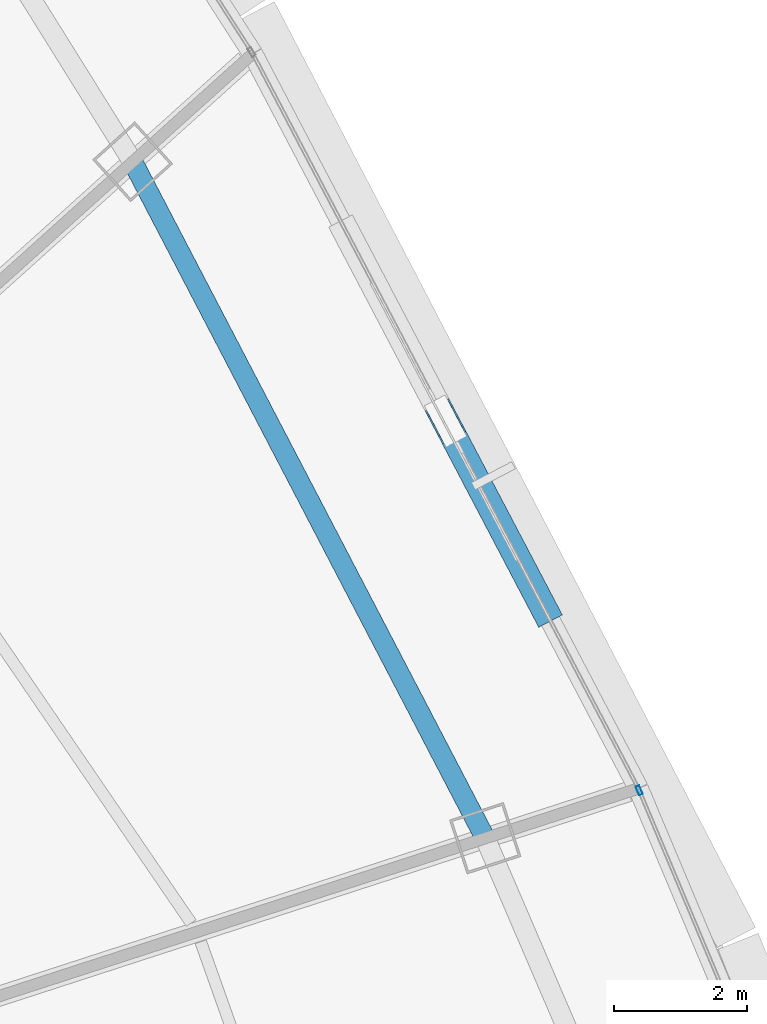
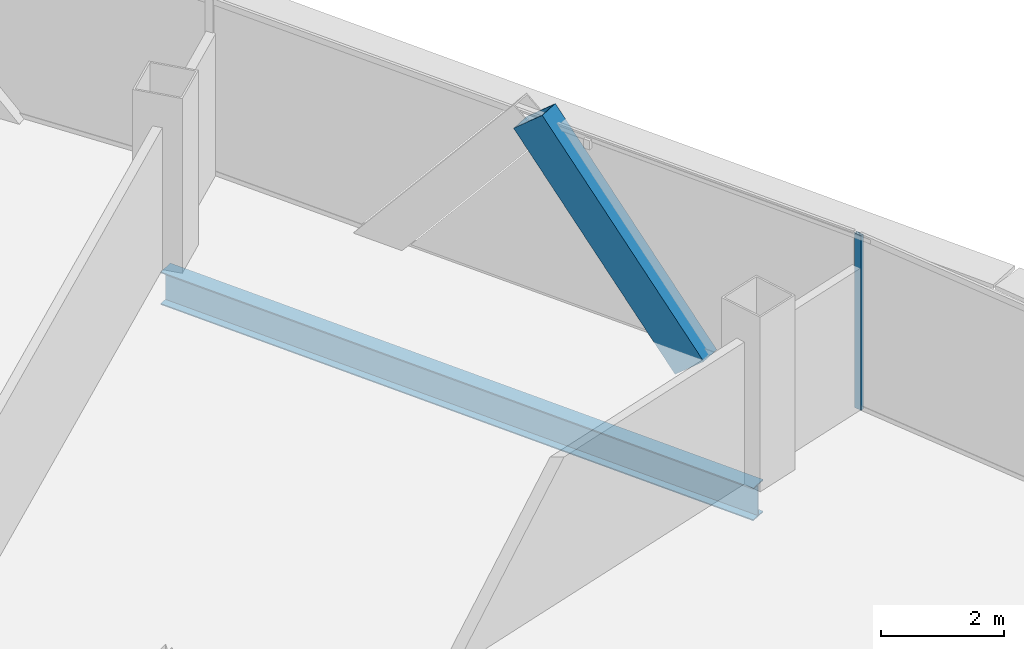
# One storey, part 14 of 36: 2 members, 1 beam, 1 element without a shape of its own.
"""IFC4 building model written with IfcOpenShell, lengths in metres."""

import ifcopenshell
import ifcopenshell.guid

model = None  # the IFC model being written
_history = None  # IfcOwnerHistory: only IFC2X3 demands one
_inside = {}  # id of a spatial element -> (the spatial element, [elements in it])
_under = {}  # id of a project, library or spatial element -> (it, [spatial elements below it])
_declared = {}  # id of a project -> (the project, [libraries it declares])
_typed = {}  # id of a type object -> (the type object, [elements of that type])
_made_of = {}  # id of a material, layer set ... -> (it, [elements and type objects made of it])


def new_model(schema):
    """Start an empty IFC model of exactly this schema.

    Asked for "IFC4X3", IfcOpenShell would pick the latest addendum, in which some entities
    have other attributes; the version numbers below select the first issue.
    IFC2X3 requires an IfcOwnerHistory on every rooted entity: one is made here for all.
    """
    global model, _history
    if schema == "IFC4X3":
        model = ifcopenshell.file(schema_version=(4, 3, 0, 0))
    else:
        model = ifcopenshell.file(schema=schema)
    _inside.clear()
    _under.clear()
    _declared.clear()
    _typed.clear()
    _made_of.clear()
    _history = None
    if model.schema == "IFC2X3":
        org = make("IfcOrganization", Name="unknown")
        user = make(
            "IfcPersonAndOrganization",
            ThePerson=make("IfcPerson", FamilyName="unknown"),
            TheOrganization=org,
        )
        app = make(
            "IfcApplication",
            ApplicationDeveloper=org,
            Version="unknown",
            ApplicationFullName="unknown",
            ApplicationIdentifier="unknown",
        )
        _history = make(
            "IfcOwnerHistory",
            OwningUser=user,
            OwningApplication=app,
            ChangeAction="ADDED",
            CreationDate=0,
        )
    return model


def make(cls, **values):
    """One entity of the class cls with the attributes given. An attribute that is None is left unset."""
    return model.create_entity(
        cls, **{name: value for name, value in values.items() if value is not None}
    )


def rooted(cls, **values):
    """An entity with a GlobalId (a new one), such as an element, a storey or a relation."""
    return make(cls, GlobalId=ifcopenshell.guid.new(), OwnerHistory=_history, **values)


def si_unit(unit_type, name, prefix=None):
    """IfcSIUnit, for example si_unit("LENGTHUNIT", "METRE", prefix="MILLI")."""
    return make("IfcSIUnit", UnitType=unit_type, Prefix=prefix, Name=name)


def assignment(units):
    """IfcUnitAssignment: the units of a project."""
    return None if units is None else make("IfcUnitAssignment", Units=units)


def point(xyz):
    """IfcCartesianPoint."""
    return None if xyz is None else make("IfcCartesianPoint", Coordinates=xyz)


def direction(xyz):
    """IfcDirection."""
    return None if xyz is None else make("IfcDirection", DirectionRatios=xyz)


def frame(location, z_axis=None, x_axis=None):
    """IfcAxis2Placement3D, a coordinate frame: its origin and axes. An axis left out is left unset."""
    return make(
        "IfcAxis2Placement3D",
        Location=point(location),
        Axis=direction(z_axis),
        RefDirection=direction(x_axis),
    )


def frame_2d(location, x_axis=None):
    """IfcAxis2Placement2D, a coordinate frame in the plane: its origin and x axis."""
    return make(
        "IfcAxis2Placement2D", Location=point(location), RefDirection=direction(x_axis)
    )


def origin():
    """The frame at (0, 0, 0) with its axes left unset."""
    return frame((0.0, 0.0, 0.0))


def origin_2d():
    """The frame at (0, 0) in the plane with its x axis left unset."""
    return frame_2d((0.0, 0.0))


def place(relative_to, where):
    """IfcLocalPlacement: puts the frame where relative to a parent placement (None: the world)."""
    return make(
        "IfcLocalPlacement", PlacementRelTo=relative_to, RelativePlacement=where
    )


def context(
    kind, dimensions, precision=None, world=None, true_north=None, identifier=None
):
    """IfcGeometricRepresentationContext, for example the 3D "Model" context."""
    return make(
        "IfcGeometricRepresentationContext",
        ContextIdentifier=identifier,
        ContextType=kind,
        CoordinateSpaceDimension=dimensions,
        Precision=precision,
        WorldCoordinateSystem=world,
        TrueNorth=true_north,
    )


def subcontext(parent, identifier, kind, view, scale=None):
    """IfcGeometricRepresentationSubContext, for example "Body" below "Model"."""
    return make(
        "IfcGeometricRepresentationSubContext",
        ContextIdentifier=identifier,
        ContextType=kind,
        ParentContext=parent,
        TargetScale=scale,
        TargetView=view,
    )


def project(units=None, contexts=None):
    """IfcProject with its units and contexts."""
    return rooted(
        "IfcProject",
        Name="project",
        RepresentationContexts=contexts,
        UnitsInContext=assignment(units),
    )


def spatial(cls, under=None, at=None, **own):
    """A site, building, storey or space (cls), placed at a placement, below another one or the project."""
    s = rooted(cls, ObjectPlacement=at, **own)
    if under is not None:
        _under.setdefault(under.id(), (under, []))[1].append(s)
    return s


def profile(cls, at=None, kind="AREA", **sizes):
    """A parametric profile (cls). Its sizes go by their IFC names, for example OverallWidth=200.0."""
    return make(cls, ProfileType=kind, Position=at, **sizes)


def hollow_rectangle(**sizes):
    """IfcRectangleHollowProfileDef."""
    return profile("IfcRectangleHollowProfileDef", **sizes)


def i_section(**sizes):
    """IfcIShapeProfileDef."""
    return profile("IfcIShapeProfileDef", **sizes)


def extrude(swept, where, along, depth):
    """IfcExtrudedAreaSolid: the profile swept, set in the frame where, extruded along a direction by depth."""
    return make(
        "IfcExtrudedAreaSolid",
        SweptArea=swept,
        Position=where,
        ExtrudedDirection=direction(along),
        Depth=depth,
    )


def shape(context_of_items, identifier, shape_type, items):
    """IfcShapeRepresentation: the items that make up one representation, for example the "Body"."""
    return make(
        "IfcShapeRepresentation",
        ContextOfItems=context_of_items,
        RepresentationIdentifier=identifier,
        RepresentationType=shape_type,
        Items=items,
    )


def source(mapping_origin, context_of_items, identifier, shape_type, items):
    """IfcRepresentationMap: a shape defined once, which mapped items show again and again."""
    return make(
        "IfcRepresentationMap",
        MappingOrigin=mapping_origin,
        MappedRepresentation=shape(context_of_items, identifier, shape_type, items),
    )


def transform(
    local_origin,
    x_axis=None,
    y_axis=None,
    z_axis=None,
    scale=None,
    scale2=None,
    scale3=None,
    uniform=True,
):
    """IfcCartesianTransformationOperator3D, or its non-uniform kind. x_axis, y_axis, z_axis: its Axis1, 2, 3."""
    if uniform:
        return make(
            "IfcCartesianTransformationOperator3D",
            Axis1=direction(x_axis),
            Axis2=direction(y_axis),
            LocalOrigin=point(local_origin),
            Scale=scale,
            Axis3=direction(z_axis),
        )
    return make(
        "IfcCartesianTransformationOperator3DnonUniform",
        Axis1=direction(x_axis),
        Axis2=direction(y_axis),
        LocalOrigin=point(local_origin),
        Scale=scale,
        Axis3=direction(z_axis),
        Scale2=scale2,
        Scale3=scale3,
    )


def mapped(mapping_source, mapping_target):
    """IfcMappedItem: shows the shape of a source again, moved by a transform."""
    return make(
        "IfcMappedItem", MappingSource=mapping_source, MappingTarget=mapping_target
    )


def material(Name=None, Category=None):
    """IfcMaterial."""
    return make("IfcMaterial", Name=Name, Category=Category)


def layer(
    of_material, thickness, ventilated=None, Name=None, Category=None, Priority=None
):
    """IfcMaterialLayer: one layer of a wall or slab, of a material (None: an air gap)."""
    return make(
        "IfcMaterialLayer",
        Material=of_material,
        LayerThickness=thickness,
        IsVentilated=ventilated,
        Name=Name,
        Category=Category,
        Priority=Priority,
    )


def layer_set(layers, Name=None):
    """IfcMaterialLayerSet."""
    return make("IfcMaterialLayerSet", MaterialLayers=layers, LayerSetName=Name)


def material_profile(
    of_material, cross_section, Name=None, Category=None, Priority=None
):
    """IfcMaterialProfile: a cross section and its material."""
    return make(
        "IfcMaterialProfile",
        Name=Name,
        Material=of_material,
        Profile=cross_section,
        Priority=Priority,
        Category=Category,
    )


def profile_set(profiles, Name=None, composite=None):
    """IfcMaterialProfileSet."""
    return make(
        "IfcMaterialProfileSet",
        Name=Name,
        MaterialProfiles=profiles,
        CompositeProfile=composite,
    )


def made_of(thing, what):
    """Note that an element or type object is made of a material, layer set ...; save() writes the relation."""
    if what is not None:
        _made_of.setdefault(what.id(), (what, []))[1].append(thing)
    return thing


def type_object(cls, material=None, **own):
    """A type object (cls), such as IfcWallType, which elements share."""
    return made_of(rooted(cls, **own), material)


def element(
    cls,
    number,
    at=None,
    inside=None,
    cuts=None,
    type_object=None,
    material=None,
    context=None,
    identifier="Body",
    shape_type=None,
    held_by="IfcProductDefinitionShape",
    body=None,
    shapes=None,
    **own,
):
    """One element of the class cls, such as IfcWall. Its Tag is "e" and its number.

    at: its placement. inside: the storey or other place that contains it. cuts: it is an
    opening in that element (IfcRelVoidsElement). A single representation is given by context,
    identifier, shape_type and body (its items); several are given by shapes. held_by: the class
    of the entity that holds the representations. save() writes the other relations.
    """
    e = rooted(cls, Tag="e%d" % number, ObjectPlacement=at, **own)
    if body is not None:
        shapes = [shape(context, identifier, shape_type, body)]
    if shapes is not None:
        e.Representation = make(held_by, Representations=shapes)
    if inside is not None:
        _inside.setdefault(inside.id(), (inside, []))[1].append(e)
    if cuts is not None:
        rooted(
            "IfcRelVoidsElement", RelatingBuildingElement=cuts, RelatedOpeningElement=e
        )
    if type_object is not None:
        _typed.setdefault(type_object.id(), (type_object, []))[1].append(e)
    return made_of(e, material)


def aggregate(whole, parts):
    """IfcRelAggregates: a whole, such as a stair, and the parts it consists of."""
    return rooted("IfcRelAggregates", RelatingObject=whole, RelatedObjects=parts)


def save(model, path):
    """Write the relations noted so far, then the file.

    IfcRelAggregates (storeys below a building ...), IfcRelContainedInSpatialStructure (elements
    in a storey), IfcRelDefinesByType, IfcRelAssociatesMaterial and IfcRelDeclares: one each for
    every whole, place, type object, material and project.
    """
    for whole, parts in _under.values():
        aggregate(whole, parts)
    for where, things in _inside.values():
        rooted(
            "IfcRelContainedInSpatialStructure",
            RelatedElements=things,
            RelatingStructure=where,
        )
    for kind, things in _typed.values():
        rooted("IfcRelDefinesByType", RelatedObjects=things, RelatingType=kind)
    for what, things in _made_of.values():
        rooted("IfcRelAssociatesMaterial", RelatedObjects=things, RelatingMaterial=what)
    for by, libraries in _declared.values():
        rooted("IfcRelDeclares", RelatingContext=by, RelatedDefinitions=libraries)
    model.write(path)


model = new_model("IFC4")

# Units and contexts
model_context = context("Model", 3, precision=1e-05, world=origin(), true_north=direction((0.0, 1.0)))
body_context = subcontext(model_context, "Body", "Model", "MODEL_VIEW")
ifc_project = project(units=[si_unit("LENGTHUNIT", "METRE"), si_unit("AREAUNIT", "SQUARE_METRE"), si_unit("VOLUMEUNIT", "CUBIC_METRE"), si_unit("PLANEANGLEUNIT", "RADIAN"), si_unit("MASSUNIT", "GRAM", prefix="KILO"), si_unit("THERMODYNAMICTEMPERATUREUNIT", "KELVIN"), si_unit("POWERUNIT", "WATT")], contexts=[model_context])

# Site, building, storey
site_placement = place(None, origin())
site = spatial("IfcSite", under=ifc_project, at=site_placement, CompositionType="ELEMENT")
building_placement = place(site_placement, origin())
building = spatial("IfcBuilding", under=site, at=building_placement, Name="Yunzhuo Pagoda Commons", CompositionType="ELEMENT")
storey_placement = place(building_placement, frame((0.0, 0.0, 244.530029296875)))
storey = spatial("IfcBuildingStorey", under=building, at=storey_placement, Name="L61", CompositionType="ELEMENT", Elevation=244.530029296875)

# Beam
ifc_material_1 = material(Name="Structural steel Q355B", Category="steel")
ifc_material_profile_1 = material_profile(ifc_material_1, i_section(OverallWidth=0.300048828125, OverallDepth=0.64990234375, WebThickness=0.012939453125, FlangeThickness=0.02197265625, at=origin_2d()), Name="Structural steel Q355B")
ifc_profile_set_1 = profile_set([ifc_material_profile_1], Name="Structural steel Q355B")
beam_type = type_object("IfcBeamType", Name="B-RG2 Beam HN 650x300x13x22", PredefinedType="BEAM", material=ifc_profile_set_1)
shared_shape_1 = source(origin(), body_context, "Body", "SweptSolid", [
    extrude(i_section(OverallWidth=0.300048828125, OverallDepth=0.64990234375, WebThickness=0.012939453125, FlangeThickness=0.02197265625, at=origin_2d()), origin(), (0.0, 0.0, 1.0), 11.43896484375),
])
beam_placement = place(storey_placement, frame((73.898681640625, 42.114990234375, -0.5849609375), z_axis=(-0.462175736513, 0.886788356136, 0.0), x_axis=(-0.886788356136, -0.462175736513, 0.0)))
element("IfcBeam", 1, at=beam_placement, inside=storey, type_object=beam_type, Name="L61 column-ring beam 6", PredefinedType="BEAM", context=body_context, shape_type="MappedRepresentation", body=[
    mapped(shared_shape_1, transform((0.0, 0.0, 0.0), scale=1.0)),
])

# Member
ifc_material_profile_2 = material_profile(ifc_material_1, hollow_rectangle(XDim=0.39990234375, YDim=0.719970703125, WallThickness=0.02392578125, at=origin_2d()), Name="Structural steel Q355B")
ifc_profile_set_2 = profile_set([ifc_material_profile_2], Name="Structural steel Q355B")
member_type_1 = type_object("IfcMemberType", Name="M-DL2 Brace BOX 720x400x24", PredefinedType="BRACE", material=ifc_profile_set_2)
shared_shape_2 = source(origin(), body_context, "Body", "SweptSolid", [
    extrude(hollow_rectangle(XDim=0.39990234375, YDim=0.719970703125, WallThickness=0.02392578125, at=origin_2d()), origin(), (0.0, 0.0, 1.0), 4.85693359375),
])
member_1_placement = place(storey_placement, frame((74.74951171875, 45.61572265625, -0.259765625), z_axis=(-0.297726637572, 0.567153410725, 0.767916569676), x_axis=(-0.885416472783, -0.46479852595, 0.0)))
element("IfcMember", 2, at=member_1_placement, inside=storey, type_object=member_type_1, Name="L61 facade diamond brace F2.2L", PredefinedType="BRACE", context=body_context, shape_type="MappedRepresentation", body=[
    mapped(shared_shape_2, transform((0.0, 0.0, 0.0), scale=1.0)),
])

# Curtain wall, member
ifc_material_2 = material(Name="Anodized aluminium 6063-T6", Category="aluminium")
ifc_layer = layer(ifc_material_2, 0.139892578125)
ifc_layer_set = layer_set([ifc_layer], Name="Anodized aluminium 6063-T6")
curtain_wall_type = type_object("IfcCurtainWallType", Name="CW-HI High-Zone Ribbon Curtain Wall", PredefinedType="NOTDEFINED", material=ifc_layer_set)
curtain_wall_placement = place(storey_placement, origin())
curtain_wall = element("IfcCurtainWall", 3, at=curtain_wall_placement, inside=storey, type_object=curtain_wall_type, Name="L61 curtain wall CW-L61-F2B2", PredefinedType="NOTDEFINED")
ifc_material_profile_3 = material_profile(ifc_material_2, hollow_rectangle(XDim=0.06005859375, YDim=0.139892578125, WallThickness=0.00341796875, at=origin_2d()), Name="Anodized aluminium 6063-T6")
ifc_profile_set_3 = profile_set([ifc_material_profile_3], Name="Anodized aluminium 6063-T6")
member_type_2 = type_object("IfcMemberType", Name="CW-HI-M Mullion RHS 140x60x3.5", PredefinedType="MULLION", material=ifc_profile_set_3)
shared_shape_3 = source(origin(), body_context, "Body", "SweptSolid", [
    extrude(hollow_rectangle(XDim=0.06005859375, YDim=0.139892578125, WallThickness=0.00341796875, at=origin_2d()), origin(), (0.0, 0.0, 1.0), 3.469970703125),
])
member_2_placement = place(storey_placement, frame((76.20703125, 42.83349609375, 0.0), z_axis=(0.0, 0.0, 1.0), x_axis=(-0.922008372235, -0.387169938824, 0.0)))
member_2 = element("IfcMember", 4, at=member_2_placement, type_object=member_type_2, Name="CW mullion 2", PredefinedType="MULLION", context=body_context, shape_type="MappedRepresentation", body=[
    mapped(shared_shape_3, transform((0.0, 0.0, 0.0), scale=1.0)),
])
aggregate(curtain_wall, [member_2])

save(model, "model.ifc")
